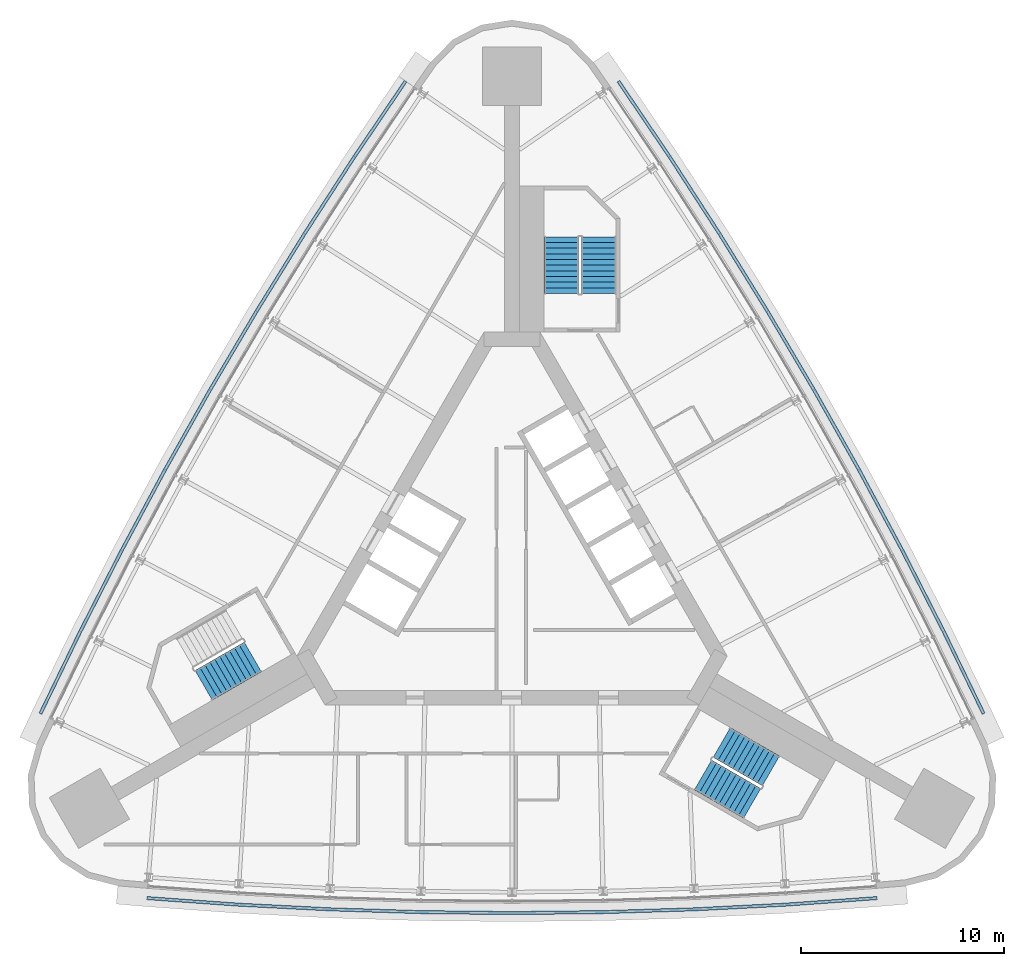
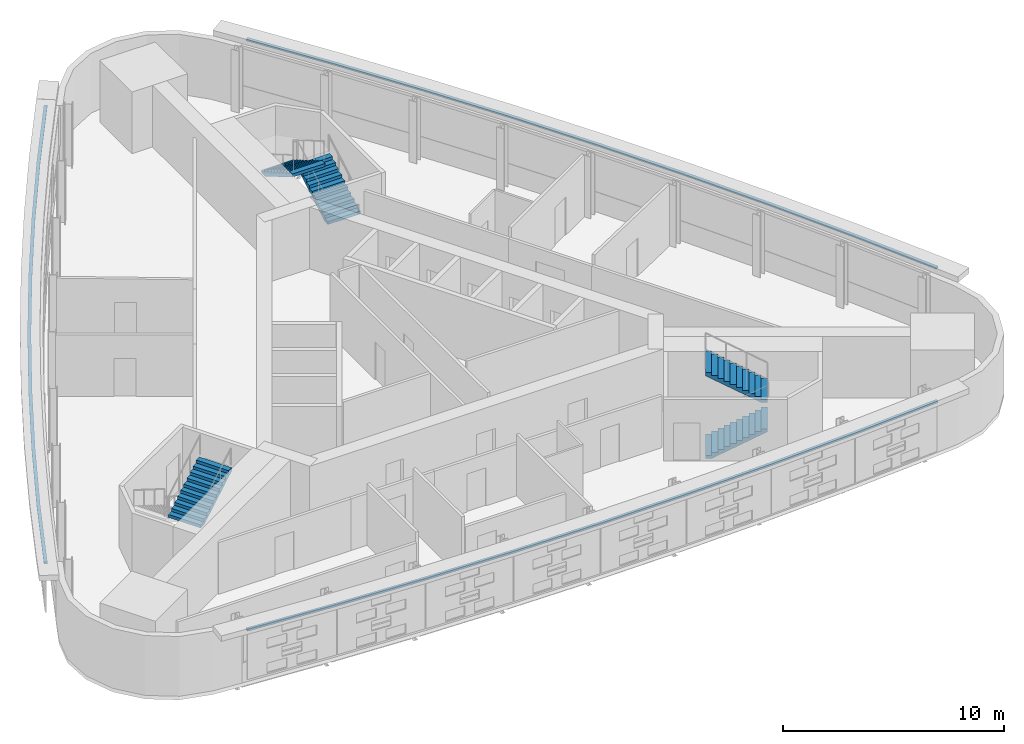
# One storey, part 11 of 13: 5 stair flights, 3 discrete accessories, 3 elements without a shape of their own.
"""IFC4 building model written with IfcOpenShell, lengths in metres."""

from ifc_helpers import new_model, si_unit, direction, frame, origin, place, context, subcontext, project, spatial, polyline, outline, extrude, material, type_object, element, aggregate, save


model = new_model("IFC4")

# Units and contexts
model_context = context("Model", 3, precision=1e-05, world=origin(), true_north=direction((0.0, 1.0)))
body_context = subcontext(model_context, "Body", "Model", "MODEL_VIEW")
ifc_project = project(units=[si_unit("LENGTHUNIT", "METRE"), si_unit("AREAUNIT", "SQUARE_METRE"), si_unit("VOLUMEUNIT", "CUBIC_METRE"), si_unit("PLANEANGLEUNIT", "RADIAN"), si_unit("MASSUNIT", "GRAM", prefix="KILO")], contexts=[model_context])

# Site, building, storey
site_placement = place(None, origin())
site = spatial("IfcSite", under=ifc_project, at=site_placement, CompositionType="ELEMENT")
building_placement = place(site_placement, origin())
building = spatial("IfcBuilding", under=site, at=building_placement, Name="Noor Cloister Tower", CompositionType="ELEMENT")
storey_placement = place(building_placement, frame((0.0, 0.0, 143.699951171875)))
storey = spatial("IfcBuildingStorey", under=building, at=storey_placement, Name="L36", CompositionType="ELEMENT", Elevation=143.699951171875)

# Stair, stair flights
ifc_material_1 = material(Name="Concrete C40/50", Category="concrete")
stair_type = type_object("IfcStairType", Name="Exit stair 22 risers", PredefinedType="HALF_TURN_STAIR", material=ifc_material_1)
stair_1_placement = place(storey_placement, origin())
stair_1 = element("IfcStair", 1, at=stair_1_placement, inside=storey, type_object=stair_type, Name="Exit stair ST1 L36", PredefinedType="HALF_TURN_STAIR")
ifc_material_2 = material(Name="Concrete C40/50", Category="concrete")
stair_flight_type = type_object("IfcStairFlightType", Name="Exit stair flight", PredefinedType="STRAIGHT", material=ifc_material_2)
stair_flight_1_placement = place(storey_placement, frame((4.28564453125, 13.3564453125, 0.0), z_axis=(0.0, 0.0, 1.0), x_axis=(0.0, 1.0, 0.0)))
stair_flight_1 = element("IfcStairFlight", 2, at=stair_flight_1_placement, type_object=stair_flight_type, Name="ST1 flight 1", NumberOfRisers=11, NumberOfTreads=10, PredefinedType="STRAIGHT", RiserHeight=0.163636364, TreadLength=0.28, context=body_context, shape_type="SweptSolid", body=[
    extrude(outline(polyline([(0.0, 0.0), (0.0, 0.16357421875), (0.280029296875, 0.16357421875), (0.280029296875, 0.327392578125), (0.56005859375, 0.327392578125), (0.56005859375, 0.490966796875), (0.840087890625, 0.490966796875), (0.840087890625, 0.654541015625), (1.1201171875, 0.654541015625), (1.1201171875, 0.818115234375), (1.39990234375, 0.818115234375), (1.39990234375, 0.98193359375), (1.679931640625, 0.98193359375), (1.679931640625, 1.1455078125), (1.9599609375, 1.1455078125), (1.9599609375, 1.30908203125), (2.239990234375, 1.30908203125), (2.239990234375, 1.47265625), (2.52001953125, 1.47265625), (2.52001953125, 1.636474609375), (2.800048828125, 1.636474609375), (2.800048828125, 1.800048828125), (2.800048828125, 1.462646484375), (0.297119140625, 0.0), (0.0, 0.0)])), frame((0.0, 0.85009765625, 0.0), z_axis=(0.0, -1.0, 0.0), x_axis=(1.0, 0.0, 0.0)), (0.0, 0.0, 1.0), 1.699951171875),
])
stair_flight_2_placement = place(storey_placement, frame((2.435546875, 16.156494140625, 1.800048828125), z_axis=(0.0, 0.0, 1.0), x_axis=(0.0, -1.0, 0.0)))
stair_flight_2 = element("IfcStairFlight", 3, at=stair_flight_2_placement, type_object=stair_flight_type, Name="ST1 flight 2", NumberOfRisers=11, NumberOfTreads=10, PredefinedType="STRAIGHT", RiserHeight=0.163636364, TreadLength=0.28, context=body_context, shape_type="SweptSolid", body=[
    extrude(outline(polyline([(0.0, 0.0), (0.0, 0.16357421875), (0.280029296875, 0.16357421875), (0.280029296875, 0.327392578125), (0.56005859375, 0.327392578125), (0.56005859375, 0.490966796875), (0.840087890625, 0.490966796875), (0.840087890625, 0.654541015625), (1.1201171875, 0.654541015625), (1.1201171875, 0.818115234375), (1.39990234375, 0.818115234375), (1.39990234375, 0.98193359375), (1.679931640625, 0.98193359375), (1.679931640625, 1.1455078125), (1.9599609375, 1.1455078125), (1.9599609375, 1.30908203125), (2.239990234375, 1.30908203125), (2.239990234375, 1.47265625), (2.52001953125, 1.47265625), (2.52001953125, 1.636474609375), (2.800048828125, 1.636474609375), (2.800048828125, 1.800048828125), (2.800048828125, 1.462646484375), (0.297119140625, 0.0), (0.0, 0.0)])), frame((0.0, 0.85009765625, 0.0), z_axis=(0.0, -1.0, 0.0), x_axis=(1.0, 0.0, 0.0)), (0.0, 0.0, 1.0), 1.699951171875),
])
aggregate(stair_1, [stair_flight_1, stair_flight_2])

# Stair, stair flight
stair_2_placement = place(storey_placement, origin())
stair_2 = element("IfcStair", 4, at=stair_2_placement, inside=storey, type_object=stair_type, Name="Exit stair ST2 L36", PredefinedType="HALF_TURN_STAIR")
stair_flight_3_placement = place(storey_placement, frame((-15.209716796875, -5.968994140625, 1.800048828125), z_axis=(0.0, 0.0, 1.0), x_axis=(0.866025403784, 0.5, 0.0)))
stair_flight_3 = element("IfcStairFlight", 5, at=stair_flight_3_placement, type_object=stair_flight_type, Name="ST2 flight 2", NumberOfRisers=11, NumberOfTreads=10, PredefinedType="STRAIGHT", RiserHeight=0.163636364, TreadLength=0.28, context=body_context, shape_type="SweptSolid", body=[
    extrude(outline(polyline([(0.0, 0.0), (0.0, 0.16357421875), (0.280029296875, 0.16357421875), (0.280029296875, 0.327392578125), (0.56005859375, 0.327392578125), (0.56005859375, 0.490966796875), (0.840087890625, 0.490966796875), (0.840087890625, 0.654541015625), (1.1201171875, 0.654541015625), (1.1201171875, 0.818115234375), (1.39990234375, 0.818115234375), (1.39990234375, 0.98193359375), (1.679931640625, 0.98193359375), (1.679931640625, 1.1455078125), (1.9599609375, 1.1455078125), (1.9599609375, 1.30908203125), (2.239990234375, 1.30908203125), (2.239990234375, 1.47265625), (2.52001953125, 1.47265625), (2.52001953125, 1.636474609375), (2.800048828125, 1.636474609375), (2.800048828125, 1.800048828125), (2.800048828125, 1.462646484375), (0.297119140625, 0.0), (0.0, 0.0)])), frame((0.0, 0.85009765625, 0.0), z_axis=(0.0, -1.0, 0.0), x_axis=(1.0, 0.0, 0.0)), (0.0, 0.0, 1.0), 1.699951171875),
])
aggregate(stair_2, [stair_flight_3])

# Stair, stair flights
stair_3_placement = place(storey_placement, origin())
stair_3 = element("IfcStair", 6, at=stair_3_placement, inside=storey, type_object=stair_type, Name="Exit stair ST3 L36", PredefinedType="HALF_TURN_STAIR")
stair_flight_4_placement = place(storey_placement, frame((9.424072265625, -10.3896484375, 0.0), z_axis=(0.0, 0.0, 1.0), x_axis=(0.866025403784, -0.5, 0.0)))
stair_flight_4 = element("IfcStairFlight", 7, at=stair_flight_4_placement, type_object=stair_flight_type, Name="ST3 flight 1", NumberOfRisers=11, NumberOfTreads=10, PredefinedType="STRAIGHT", RiserHeight=0.163636364, TreadLength=0.28, context=body_context, shape_type="SweptSolid", body=[
    extrude(outline(polyline([(0.0, 0.0), (0.0, 0.16357421875), (0.280029296875, 0.16357421875), (0.280029296875, 0.327392578125), (0.56005859375, 0.327392578125), (0.56005859375, 0.490966796875), (0.840087890625, 0.490966796875), (0.840087890625, 0.654541015625), (1.1201171875, 0.654541015625), (1.1201171875, 0.818115234375), (1.39990234375, 0.818115234375), (1.39990234375, 0.98193359375), (1.679931640625, 0.98193359375), (1.679931640625, 1.1455078125), (1.9599609375, 1.1455078125), (1.9599609375, 1.30908203125), (2.239990234375, 1.30908203125), (2.239990234375, 1.47265625), (2.52001953125, 1.47265625), (2.52001953125, 1.636474609375), (2.800048828125, 1.636474609375), (2.800048828125, 1.800048828125), (2.800048828125, 1.462646484375), (0.297119140625, 0.0), (0.0, 0.0)])), frame((0.0, 0.85009765625, 0.0), z_axis=(0.0, -1.0, 0.0), x_axis=(1.0, 0.0, 0.0)), (0.0, 0.0, 1.0), 1.699951171875),
])
stair_flight_5_placement = place(storey_placement, frame((12.77392578125, -10.1875, 1.800048828125), z_axis=(0.0, 0.0, 1.0), x_axis=(-0.866025403784, 0.5, 0.0)))
stair_flight_5 = element("IfcStairFlight", 8, at=stair_flight_5_placement, type_object=stair_flight_type, Name="ST3 flight 2", NumberOfRisers=11, NumberOfTreads=10, PredefinedType="STRAIGHT", RiserHeight=0.163636364, TreadLength=0.28, context=body_context, shape_type="SweptSolid", body=[
    extrude(outline(polyline([(0.0, 0.0), (0.0, 0.16357421875), (0.280029296875, 0.16357421875), (0.280029296875, 0.327392578125), (0.56005859375, 0.327392578125), (0.56005859375, 0.490966796875), (0.840087890625, 0.490966796875), (0.840087890625, 0.654541015625), (1.1201171875, 0.654541015625), (1.1201171875, 0.818115234375), (1.39990234375, 0.818115234375), (1.39990234375, 0.98193359375), (1.679931640625, 0.98193359375), (1.679931640625, 1.1455078125), (1.9599609375, 1.1455078125), (1.9599609375, 1.30908203125), (2.239990234375, 1.30908203125), (2.239990234375, 1.47265625), (2.52001953125, 1.47265625), (2.52001953125, 1.636474609375), (2.800048828125, 1.636474609375), (2.800048828125, 1.800048828125), (2.800048828125, 1.462646484375), (0.297119140625, 0.0), (0.0, 0.0)])), frame((0.0, 0.85009765625, 0.0), z_axis=(0.0, -1.0, 0.0), x_axis=(1.0, 0.0, 0.0)), (0.0, 0.0, 1.0), 1.699951171875),
])
aggregate(stair_3, [stair_flight_4, stair_flight_5])

# Discrete accessories
ifc_material_3 = material(Name="Stainless steel grade 316", Category="steel")
discrete_accessory_type = type_object("IfcDiscreteAccessoryType", Name="Stainless hanger rail", PredefinedType="BRACKET", material=ifc_material_3)
discrete_accessory_1_placement = place(storey_placement, frame((0.0, 0.0, 3.199951171875)))
element("IfcDiscreteAccessory", 9, at=discrete_accessory_1_placement, inside=storey, type_object=discrete_accessory_type, Name="Hanger rail L36", PredefinedType="BRACKET", context=body_context, shape_type="SweptSolid", body=[
    extrude(outline(polyline([(-5.31689453125, 23.87744140625), (-7.84375, 20.14697265625), (-10.296630859375, 16.360595703125), (-12.67138671875, 12.52490234375), (-14.967041015625, 8.641357421875), (-17.1826171875, 4.71142578125), (-19.317138671875, 0.73681640625), (-21.36962890625, -3.280517578125), (-23.3369140625, -7.333984375), (-23.193115234375, -7.404052734375), (-21.2265625, -3.351806640625), (-19.17529296875, 0.66259765625), (-17.04248046875, 4.63427734375), (-14.82861328125, 8.561279296875), (-12.53466796875, 12.442138671875), (-10.16162109375, 16.275146484375), (-7.71044921875, 20.05859375), (-5.1845703125, 23.78759765625), (-5.31689453125, 23.87744140625)])), origin(), (0.0, 0.0, 1.0), 0.10009765625),
])
discrete_accessory_2_placement = place(storey_placement, frame((0.0, 0.0, 3.199951171875)))
element("IfcDiscreteAccessory", 10, at=discrete_accessory_2_placement, inside=storey, type_object=discrete_accessory_type, Name="Hanger rail L36", PredefinedType="BRACKET", context=body_context, shape_type="SweptSolid", body=[
    extrude(outline(polyline([(-18.02001953125, -16.54345703125), (-13.52587890625, -16.866455078125), (-9.0205078125, -17.09765625), (-4.51123046875, -17.236328125), (0.0, -17.282470703125), (4.51123046875, -17.236328125), (9.0205078125, -17.09765625), (13.52587890625, -16.866455078125), (18.02001953125, -16.54345703125), (18.008544921875, -16.3837890625), (13.51611328125, -16.706787109375), (9.013916015625, -16.937744140625), (4.5078125, -17.076416015625), (0.0, -17.12255859375), (-4.5078125, -17.076416015625), (-9.013916015625, -16.937744140625), (-13.51611328125, -16.706787109375), (-18.008544921875, -16.3837890625), (-18.02001953125, -16.54345703125)])), origin(), (0.0, 0.0, 1.0), 0.10009765625),
])
discrete_accessory_3_placement = place(storey_placement, frame((0.0, 0.0, 3.199951171875)))
element("IfcDiscreteAccessory", 11, at=discrete_accessory_3_placement, inside=storey, type_object=discrete_accessory_type, Name="Hanger rail L36", PredefinedType="BRACKET", context=body_context, shape_type="SweptSolid", body=[
    extrude(outline(polyline([(23.3369140625, -7.333984375), (21.36962890625, -3.280517578125), (19.317138671875, 0.73681640625), (17.1826171875, 4.71142578125), (14.967041015625, 8.641357421875), (12.67138671875, 12.52490234375), (10.296630859375, 16.360595703125), (7.84375, 20.14697265625), (5.31689453125, 23.87744140625), (5.1845703125, 23.78759765625), (7.71044921875, 20.05859375), (10.16162109375, 16.275146484375), (12.53466796875, 12.442138671875), (14.82861328125, 8.561279296875), (17.04248046875, 4.63427734375), (19.17529296875, 0.66259765625), (21.2265625, -3.351806640625), (23.193115234375, -7.404052734375), (23.3369140625, -7.333984375)])), origin(), (0.0, 0.0, 1.0), 0.10009765625),
])

save(model, "model.ifc")
